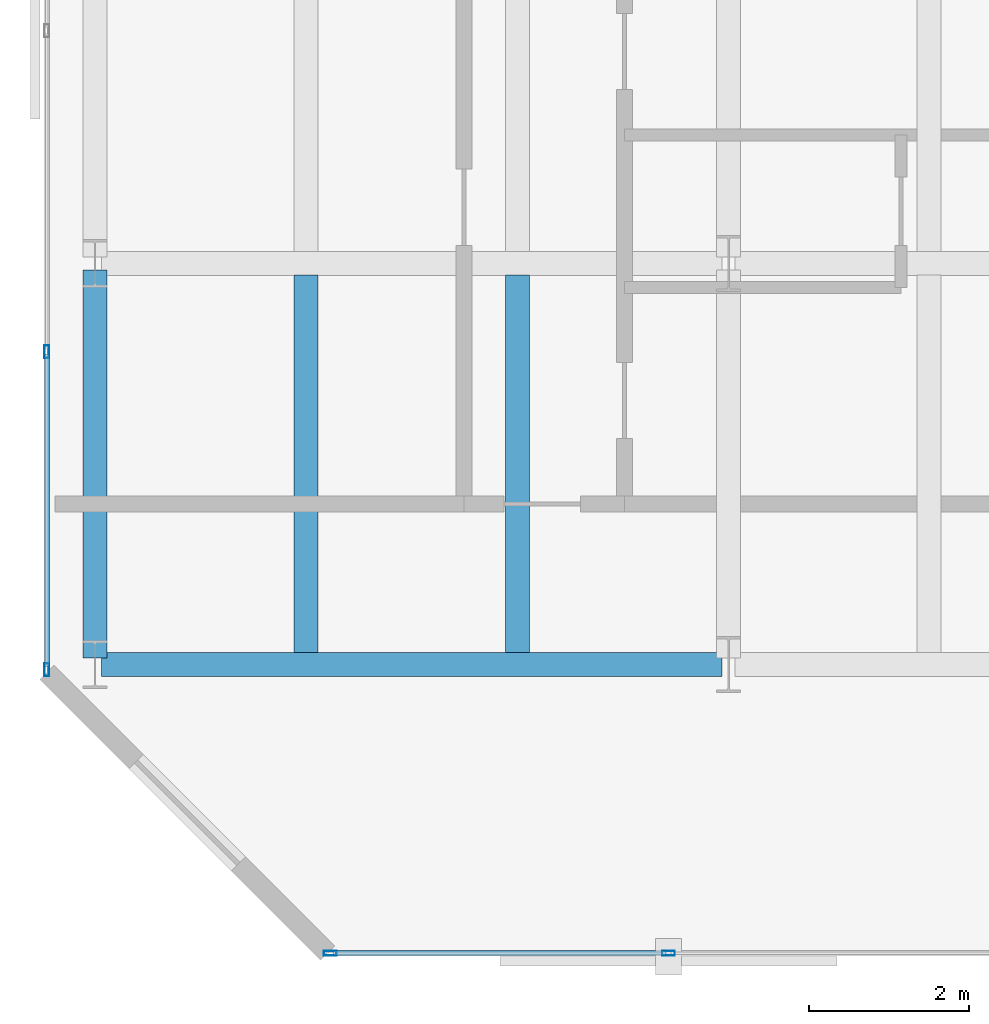
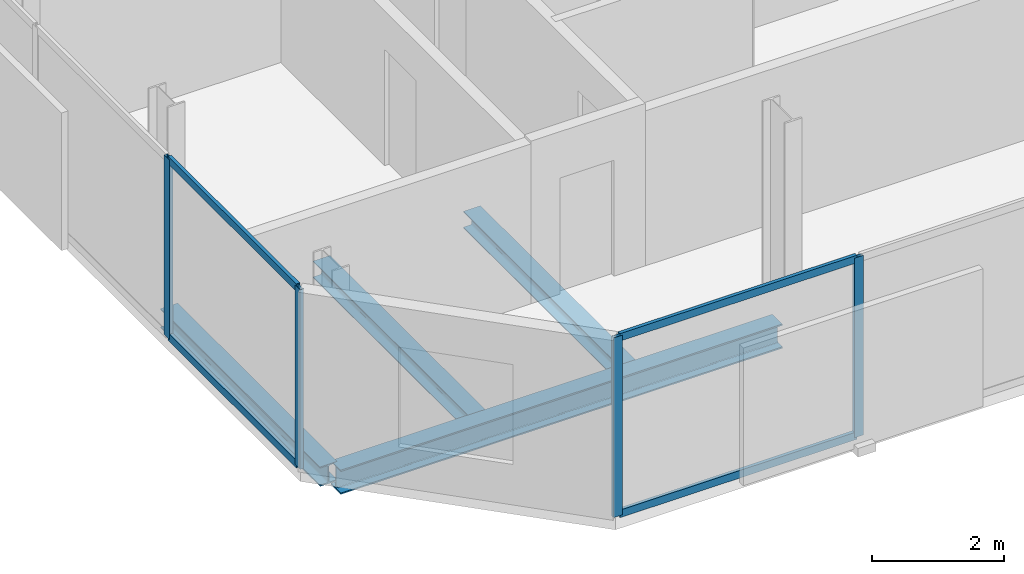
# One storey, part 3 of 32: 8 members, 4 beams, 2 elements without a shape of their own.
"""IFC4 building model written with IfcOpenShell, lengths in metres."""

from ifc_helpers import new_model, si_unit, direction, frame, origin, origin_2d, place, context, subcontext, project, spatial, hollow_rectangle, i_section, extrude, material, layer, layer_set, material_profile, profile_set, type_object, element, aggregate, save


model = new_model("IFC4")

# Units and contexts
model_context = context("Model", 3, precision=1e-05, world=origin(), true_north=direction((0.0, 1.0)))
body_context = subcontext(model_context, "Body", "Model", "MODEL_VIEW")
ifc_project = project(units=[si_unit("LENGTHUNIT", "METRE"), si_unit("AREAUNIT", "SQUARE_METRE"), si_unit("VOLUMEUNIT", "CUBIC_METRE"), si_unit("PLANEANGLEUNIT", "RADIAN"), si_unit("MASSUNIT", "GRAM", prefix="KILO")], contexts=[model_context])

# Site, building, storey
site_placement = place(None, origin())
site = spatial("IfcSite", under=ifc_project, at=site_placement, CompositionType="ELEMENT")
building_placement = place(site_placement, origin())
building = spatial("IfcBuilding", under=site, at=building_placement, Name="Catumbela Crestline Tower", CompositionType="ELEMENT")
storey_placement = place(building_placement, frame((0.0, 0.0, 122.4)))
storey = spatial("IfcBuildingStorey", under=building, at=storey_placement, Name="L31", CompositionType="ELEMENT", Elevation=122.4)

# Beams
ifc_material_1 = material(Name="Structural steel S355J2", Category="steel")
ifc_material_profile_1 = material_profile(ifc_material_1, i_section(OverallWidth=0.3, OverallDepth=0.45, WebThickness=0.014, FlangeThickness=0.026, FilletRadius=0.027, at=origin_2d()), Name="HEB 450")
ifc_profile_set_1 = profile_set([ifc_material_profile_1], Name="Structural steel S355J2")
beam_type_1 = type_object("IfcBeamType", Name="BG-HEB450", PredefinedType="BEAM", material=ifc_profile_set_1)
beam_1_placement = place(storey_placement, frame((0.68, 8.6, -0.485), z_axis=(1.0, 0.0, 0.0), x_axis=(0.0, 1.0, 0.0)))
element("IfcBeam", 1, at=beam_1_placement, inside=storey, type_object=beam_type_1, Name="L31 Beam BM-L31-WEW43", PredefinedType="BEAM", context=body_context, shape_type="SweptSolid", body=[
    extrude(i_section(OverallWidth=0.3, OverallDepth=0.45, WebThickness=0.014, FlangeThickness=0.026, FilletRadius=0.027, at=origin_2d()), origin(), (0.0, 0.0, 1.0), 7.74),
])
ifc_material_profile_2 = material_profile(ifc_material_1, i_section(OverallWidth=0.3, OverallDepth=0.31, WebThickness=0.009, FlangeThickness=0.0155, FilletRadius=0.027, at=origin_2d()), Name="HEA 320")
ifc_profile_set_2 = profile_set([ifc_material_profile_2], Name="Structural steel S355J2")
beam_type_2 = type_object("IfcBeamType", Name="BJ-HEA320", PredefinedType="JOIST", material=ifc_profile_set_2)
for number, where, z_axis, x_axis, name in (
    (2, (3.233, 8.747, -0.415), (0.0, 1.0, 0.0), (-1.0, 0.0, 0.0), "L31 Joist JS-L31-WG63"),
    (3, (5.867, 8.747, -0.415), (0.0, 1.0, 0.0), (-1.0, 0.0, 0.0), "L31 Joist JS-L31-WG64"),
):
    element("IfcBeam", number, at=place(storey_placement, frame(where, z_axis=z_axis, x_axis=x_axis)), inside=storey, type_object=beam_type_2, Name=name, PredefinedType="JOIST", context=body_context, shape_type="SweptSolid", body=[
        extrude(i_section(OverallWidth=0.3, OverallDepth=0.31, WebThickness=0.009, FlangeThickness=0.0155, FilletRadius=0.027, at=origin_2d()), origin(), (0.0, 0.0, 1.0), 4.706),
    ])

# Curtain wall, members
ifc_material_2 = material(Name="Aluminium alloy AW-6060-T66", Category="aluminium")
ifc_layer = layer(ifc_material_2, 0.18, Name="Aluminium alloy AW-6060-T66")
ifc_layer_set = layer_set([ifc_layer], Name="Aluminium alloy AW-6060-T66")
curtain_wall_type = type_object("IfcCurtainWallType", Name="CWU-Z2", PredefinedType="USERDEFINED", material=ifc_layer_set)
curtain_wall_1_placement = place(storey_placement, origin())
curtain_wall_1 = element("IfcCurtainWall", 4, at=curtain_wall_1_placement, inside=storey, type_object=curtain_wall_type, Name="L31 Unitised Curtain Wall CW-L31-E0S1", ObjectType="UNITISED", PredefinedType="USERDEFINED")
ifc_material_profile_3 = material_profile(ifc_material_2, hollow_rectangle(XDim=0.06, YDim=0.16, WallThickness=0.004, at=origin_2d()), Name="ALU 160x60x4")
ifc_profile_set_3 = profile_set([ifc_material_profile_3], Name="Aluminium alloy AW-6060-T66")
member_type_1 = type_object("IfcMemberType", Name="MUL-160X60", PredefinedType="MULLION", material=ifc_profile_set_3)
member_1_placement = place(storey_placement, frame((3.5325, 5.0, 0.0), z_axis=(0.0, 0.0, 1.0), x_axis=(0.0, 1.0, 0.0)))
member_1 = element("IfcMember", 5, at=member_1_placement, type_object=member_type_1, Name="CWU-Z2 mullion 1", PredefinedType="MULLION", context=body_context, shape_type="SweptSolid", body=[
    extrude(hollow_rectangle(XDim=0.06, YDim=0.16, WallThickness=0.004, at=origin_2d()), origin(), (0.0, 0.0, 1.0), 3.33),
])
member_2_placement = place(storey_placement, frame((7.75, 5.0, 0.0), z_axis=(0.0, 0.0, 1.0), x_axis=(0.0, 1.0, 0.0)))
member_2 = element("IfcMember", 6, at=member_2_placement, type_object=member_type_1, Name="CWU-Z2 mullion 2", PredefinedType="MULLION", context=body_context, shape_type="SweptSolid", body=[
    extrude(hollow_rectangle(XDim=0.06, YDim=0.16, WallThickness=0.004, at=origin_2d()), origin(), (0.0, 0.0, 1.0), 3.33),
])

curtain_wall_2_placement = place(storey_placement, origin())
curtain_wall_2 = element("IfcCurtainWall", 7, at=curtain_wall_2_placement, inside=storey, type_object=curtain_wall_type, Name="L31 Unitised Curtain Wall CW-L31-E9S1", ObjectType="UNITISED", PredefinedType="USERDEFINED")
member_3_placement = place(storey_placement, frame((0.0, 12.5, 0.0), z_axis=(0.0, 0.0, 1.0), x_axis=(1.0, 0.0, 0.0)))
member_3 = element("IfcMember", 8, at=member_3_placement, type_object=member_type_1, Name="CWU-Z2 mullion 9", PredefinedType="MULLION", context=body_context, shape_type="SweptSolid", body=[
    extrude(hollow_rectangle(XDim=0.06, YDim=0.16, WallThickness=0.004, at=origin_2d()), origin(), (0.0, 0.0, 1.0), 3.33),
])
member_4_placement = place(storey_placement, frame((0.0, 8.5325, 0.0), z_axis=(0.0, 0.0, 1.0), x_axis=(1.0, 0.0, 0.0)))
member_4 = element("IfcMember", 9, at=member_4_placement, type_object=member_type_1, Name="CWU-Z2 mullion 10", PredefinedType="MULLION", context=body_context, shape_type="SweptSolid", body=[
    extrude(hollow_rectangle(XDim=0.06, YDim=0.16, WallThickness=0.004, at=origin_2d()), origin(), (0.0, 0.0, 1.0), 3.33),
])

# Beam
ifc_material_profile_4 = material_profile(ifc_material_1, i_section(OverallWidth=0.3, OverallDepth=0.36, WebThickness=0.0125, FlangeThickness=0.0225, FilletRadius=0.027, at=origin_2d()), Name="HEB 360")
ifc_profile_set_4 = profile_set([ifc_material_profile_4], Name="Structural steel S355J2")
beam_type_3 = type_object("IfcBeamType", Name="BS-HEB360", PredefinedType="SPANDREL", material=ifc_profile_set_4)
beam_2_placement = place(storey_placement, frame((0.6, 8.68, -0.44), z_axis=(0.0, 1.0, 0.0), x_axis=(-1.0, 0.0, 0.0)))
element("IfcBeam", 10, at=beam_2_placement, inside=storey, type_object=beam_type_3, Name="L31 Spandrel SP-L31-WNS52", PredefinedType="SPANDREL", context=body_context, shape_type="SweptSolid", body=[
    extrude(i_section(OverallWidth=0.3, OverallDepth=0.36, WebThickness=0.0125, FlangeThickness=0.0225, FilletRadius=0.027, at=origin_2d()), origin(), (0.0, 0.0, 1.0), 4.84),
])

# Member
ifc_material_profile_5 = material_profile(ifc_material_2, hollow_rectangle(XDim=0.06, YDim=0.14, WallThickness=0.004, at=origin_2d()), Name="ALU 140x60x4")
ifc_profile_set_5 = profile_set([ifc_material_profile_5], Name="Aluminium alloy AW-6060-T66")
member_type_2 = type_object("IfcMemberType", Name="TRN-140X60", PredefinedType="USERDEFINED", material=ifc_profile_set_5)
member_5_placement = place(storey_placement, frame((3.565, 5.0, 0.03), z_axis=(1.0, 0.0, 0.0), x_axis=(0.0, 1.0, 0.0)))
member_5 = element("IfcMember", 11, at=member_5_placement, type_object=member_type_2, Name="CWU-Z2 transom 1.1", ObjectType="TRANSOM", PredefinedType="USERDEFINED", context=body_context, shape_type="SweptSolid", body=[
    extrude(hollow_rectangle(XDim=0.06, YDim=0.14, WallThickness=0.004, at=origin_2d()), origin(), (0.0, 0.0, 1.0), 4.1525),
])

member_6_placement = place(storey_placement, frame((3.565, 5.0, 3.3), z_axis=(1.0, 0.0, 0.0), x_axis=(0.0, 1.0, 0.0)))
member_6 = element("IfcMember", 12, at=member_6_placement, type_object=member_type_2, Name="CWU-Z2 transom 1.2", ObjectType="TRANSOM", PredefinedType="USERDEFINED", context=body_context, shape_type="SweptSolid", body=[
    extrude(hollow_rectangle(XDim=0.06, YDim=0.14, WallThickness=0.004, at=origin_2d()), origin(), (0.0, 0.0, 1.0), 4.1525),
])

aggregate(curtain_wall_1, [member_1, member_2, member_5, member_6])

member_7_placement = place(storey_placement, frame((0.0, 12.4675, 0.03), z_axis=(0.0, -1.0, 0.0), x_axis=(1.0, 0.0, 0.0)))
member_7 = element("IfcMember", 13, at=member_7_placement, type_object=member_type_2, Name="CWU-Z2 transom 9.1", ObjectType="TRANSOM", PredefinedType="USERDEFINED", context=body_context, shape_type="SweptSolid", body=[
    extrude(hollow_rectangle(XDim=0.06, YDim=0.14, WallThickness=0.004, at=origin_2d()), origin(), (0.0, 0.0, 1.0), 3.9025),
])

member_8_placement = place(storey_placement, frame((0.0, 12.4675, 3.3), z_axis=(0.0, -1.0, 0.0), x_axis=(1.0, 0.0, 0.0)))
member_8 = element("IfcMember", 14, at=member_8_placement, type_object=member_type_2, Name="CWU-Z2 transom 9.2", ObjectType="TRANSOM", PredefinedType="USERDEFINED", context=body_context, shape_type="SweptSolid", body=[
    extrude(hollow_rectangle(XDim=0.06, YDim=0.14, WallThickness=0.004, at=origin_2d()), origin(), (0.0, 0.0, 1.0), 3.9025),
])

aggregate(curtain_wall_2, [member_3, member_4, member_7, member_8])

save(model, "model.ifc")
